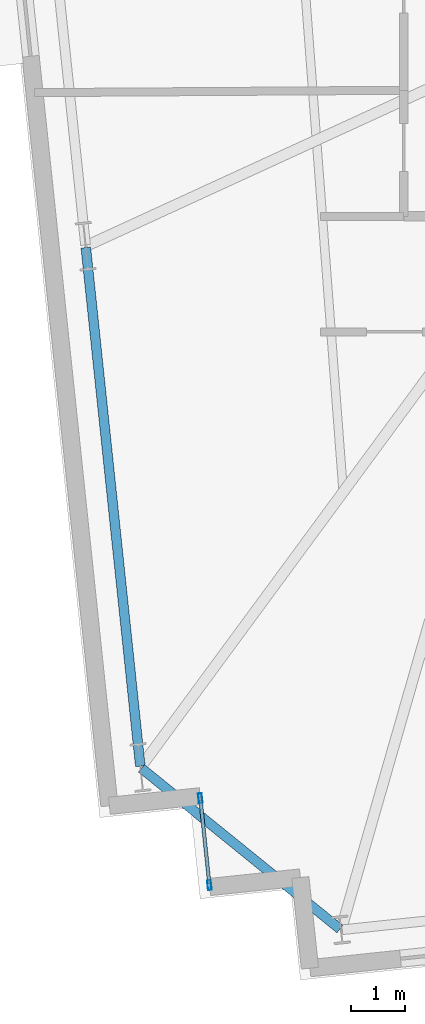
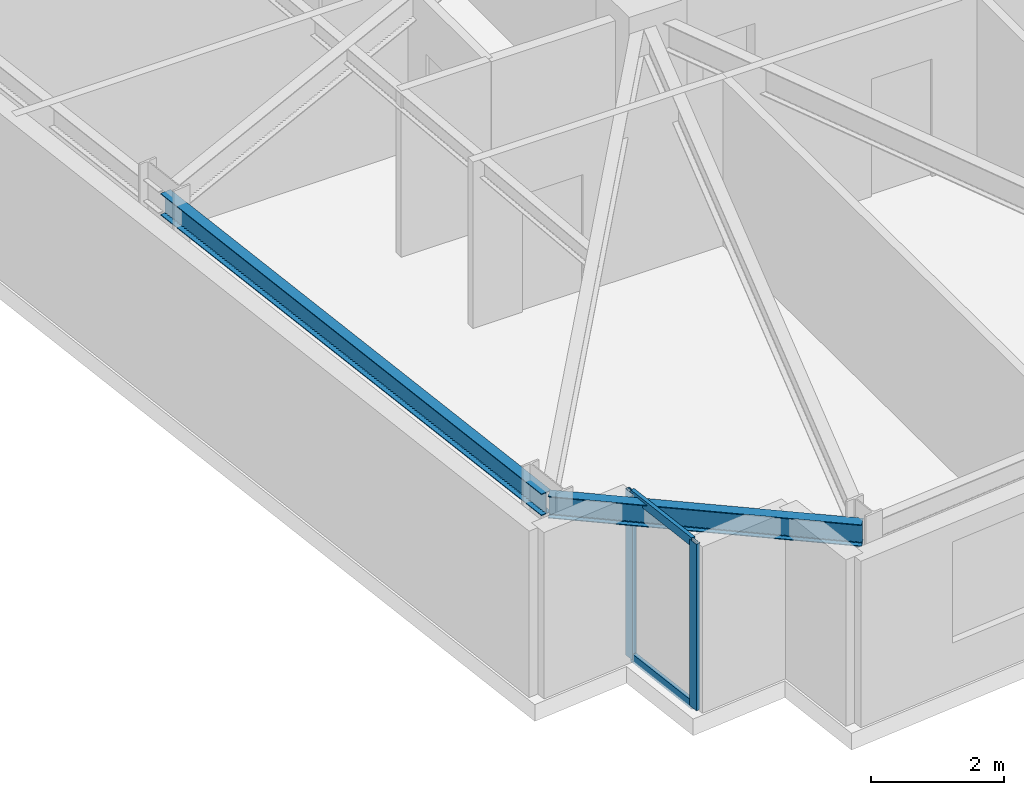
# One storey, part 4 of 19: 4 members, 2 beams, 1 element without a shape of its own.
"""IFC4 building model written with IfcOpenShell, lengths in metres."""

from ifc_helpers import new_model, si_unit, direction, frame, origin, origin_2d, place, context, subcontext, project, spatial, hollow_rectangle, i_section, extrude, material, layer, layer_set, material_profile, profile_set, type_object, element, aggregate, save


model = new_model("IFC4")

# Units and contexts
model_context = context("Model", 3, precision=1e-05, world=origin(), true_north=direction((0.0, 1.0)))
body_context = subcontext(model_context, "Body", "Model", "MODEL_VIEW")
ifc_project = project(units=[si_unit("LENGTHUNIT", "METRE"), si_unit("AREAUNIT", "SQUARE_METRE"), si_unit("VOLUMEUNIT", "CUBIC_METRE"), si_unit("PLANEANGLEUNIT", "RADIAN"), si_unit("MASSUNIT", "GRAM", prefix="KILO")], contexts=[model_context])

# Site, building, storey
site_placement = place(None, origin())
site = spatial("IfcSite", under=ifc_project, at=site_placement, CompositionType="ELEMENT")
building_placement = place(site_placement, origin())
building = spatial("IfcBuilding", under=site, at=building_placement, Name="Qobustan Lattice House", CompositionType="ELEMENT")
storey_placement = place(building_placement, frame((0.0, 0.0, 85.699951171875)))
storey = spatial("IfcBuildingStorey", under=building, at=storey_placement, Name="L23", CompositionType="ELEMENT", Elevation=85.699951171875)

# Beams
ifc_material_1 = material(Name="Steel S355", Category="steel")
ifc_material_profile_1 = material_profile(ifc_material_1, i_section(OverallWidth=0.179931640625, OverallDepth=0.39990234375, WebThickness=0.008544921875, FlangeThickness=0.013427734375, FilletRadius=0.02099609375, at=origin_2d()), Name="IPE400")
ifc_profile_set_1 = profile_set([ifc_material_profile_1], Name="Steel S355")
beam_type = type_object("IfcBeamType", Name="BM-SPD-IPE400", PredefinedType="SPANDREL", material=ifc_profile_set_1)
beam_1_placement = place(storey_placement, frame((-27.37451171875, -6.180908203125, 2.844970703125), z_axis=(0.104527826257, -0.994521962321, 0.0), x_axis=(0.994521962321, 0.104527826257, 0.0)))
element("IfcBeam", 1, at=beam_1_placement, inside=storey, type_object=beam_type, Name="L23 perimeter spandrel W3-W4", PredefinedType="SPANDREL", context=body_context, shape_type="SweptSolid", body=[
    extrude(i_section(OverallWidth=0.179931640625, OverallDepth=0.39990234375, WebThickness=0.008544921875, FlangeThickness=0.013427734375, FilletRadius=0.02099609375, at=origin_2d()), origin(), (0.0, 0.0, 1.0), 9.71630859375),
])
beam_2_placement = place(storey_placement, frame((-26.3369140625, -15.884765625, 2.844970703125), z_axis=(0.777140911545, -0.629326627121, 0.0), x_axis=(0.629326627121, 0.777140911545, 0.0)))
element("IfcBeam", 2, at=beam_2_placement, inside=storey, type_object=beam_type, Name="L23 perimeter spandrel W4-S1", PredefinedType="SPANDREL", context=body_context, shape_type="SweptSolid", body=[
    extrude(i_section(OverallWidth=0.179931640625, OverallDepth=0.39990234375, WebThickness=0.008544921875, FlangeThickness=0.013427734375, FilletRadius=0.02099609375, at=origin_2d()), origin(), (0.0, 0.0, 1.0), 4.758544921875),
])

# Curtain wall, members
ifc_material_2 = material(Name="Anodised aluminium and low-E glazing", Category="aluminium")
ifc_layer = layer(ifc_material_2, 0.219970703125)
ifc_layer_set = layer_set([ifc_layer], Name="Anodised aluminium and low-E glazing")
curtain_wall_type = type_object("IfcCurtainWallType", Name="CW-FAC-01", PredefinedType="USERDEFINED", material=ifc_layer_set)
curtain_wall_placement = place(storey_placement, origin())
curtain_wall = element("IfcCurtainWall", 3, at=curtain_wall_placement, inside=storey, type_object=curtain_wall_type, Name="L23 serrated corner faceted glazing 3", ObjectType="CURTAIN WALL", PredefinedType="USERDEFINED")
ifc_material_3 = material(Name="Anodised aluminium EN AW-6063 T6", Category="aluminium")
ifc_material_profile_2 = material_profile(ifc_material_3, hollow_rectangle(XDim=0.070068359375, YDim=0.179931640625, WallThickness=0.00439453125, at=origin_2d()), Name="CWM-180x70")
ifc_profile_set_2 = profile_set([ifc_material_profile_2], Name="Anodised aluminium EN AW-6063 T6")
member_type_1 = type_object("IfcMemberType", Name="CWM-STD-180", PredefinedType="MULLION", material=ifc_profile_set_2)
member_1_placement = place(storey_placement, frame((-25.070068359375, -18.0615234375, 0.0), z_axis=(0.0, 0.0, 1.0), x_axis=(-0.994521878892, -0.104528620025, 0.0)))
member_1 = element("IfcMember", 4, at=member_1_placement, type_object=member_type_1, Name="CW-F1 mullion 1", PredefinedType="MULLION", context=body_context, shape_type="SweptSolid", body=[
    extrude(hollow_rectangle(XDim=0.070068359375, YDim=0.179931640625, WallThickness=0.00439453125, at=origin_2d()), origin(), (0.0, 0.0, 1.0), 3.045166015625),
])
member_2_placement = place(storey_placement, frame((-25.240234375, -16.4404296875, 0.0), z_axis=(0.0, 0.0, 1.0), x_axis=(-0.994521878892, -0.104528620025, 0.0)))
member_2 = element("IfcMember", 5, at=member_2_placement, type_object=member_type_1, Name="CW-F1 mullion 2", PredefinedType="MULLION", context=body_context, shape_type="SweptSolid", body=[
    extrude(hollow_rectangle(XDim=0.070068359375, YDim=0.179931640625, WallThickness=0.00439453125, at=origin_2d()), origin(), (0.0, 0.0, 1.0), 3.045166015625),
])
ifc_material_4 = material(Name="Anodised aluminium EN AW-6063 T6", Category="aluminium")
ifc_material_profile_3 = material_profile(ifc_material_4, hollow_rectangle(XDim=0.06494140625, YDim=0.159912109375, WallThickness=0.00390625, at=origin_2d()), Name="CWT-160x65")
ifc_profile_set_3 = profile_set([ifc_material_profile_3], Name="Anodised aluminium EN AW-6063 T6")
member_type_2 = type_object("IfcMemberType", Name="CWT-HOR-160", PredefinedType="USERDEFINED", material=ifc_profile_set_3)
member_3_placement = place(storey_placement, frame((-25.07373046875, -18.02685546875, 0.032470703125), z_axis=(-0.104383362594, 0.994537135362, 0.0), x_axis=(-0.994537135362, -0.104383362594, 0.0)))
member_3 = element("IfcMember", 6, at=member_3_placement, type_object=member_type_2, Name="CW-F1 transom 1.1", ObjectType="TRANSOM", PredefinedType="USERDEFINED", context=body_context, shape_type="SweptSolid", body=[
    extrude(hollow_rectangle(XDim=0.06494140625, YDim=0.159912109375, WallThickness=0.00390625, at=origin_2d()), origin(), (0.0, 0.0, 1.0), 1.56005859375),
])
member_4_placement = place(storey_placement, frame((-25.07373046875, -18.02685546875, 3.012451171875), z_axis=(-0.104383362594, 0.994537135362, 0.0), x_axis=(-0.994537135362, -0.104383362594, 0.0)))
member_4 = element("IfcMember", 7, at=member_4_placement, type_object=member_type_2, Name="CW-F1 transom 1.2", ObjectType="TRANSOM", PredefinedType="USERDEFINED", context=body_context, shape_type="SweptSolid", body=[
    extrude(hollow_rectangle(XDim=0.06494140625, YDim=0.159912109375, WallThickness=0.00390625, at=origin_2d()), origin(), (0.0, 0.0, 1.0), 1.56005859375),
])
aggregate(curtain_wall, [member_1, member_2, member_3, member_4])

save(model, "model.ifc")
